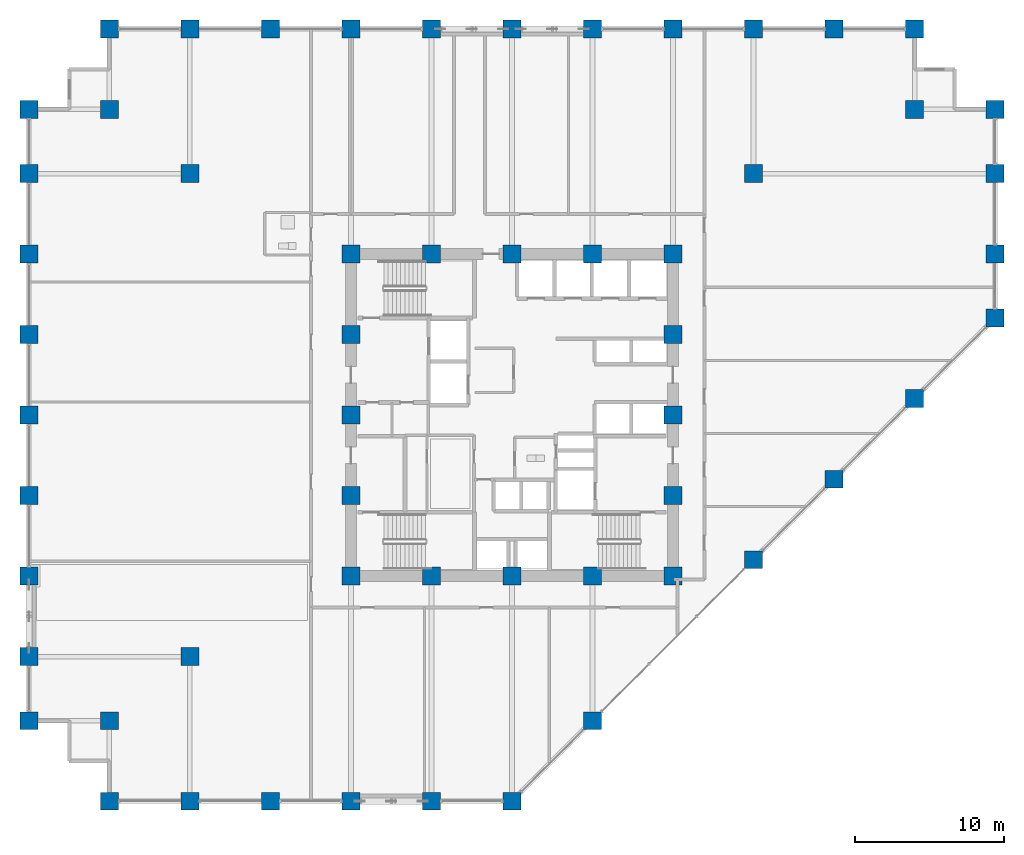
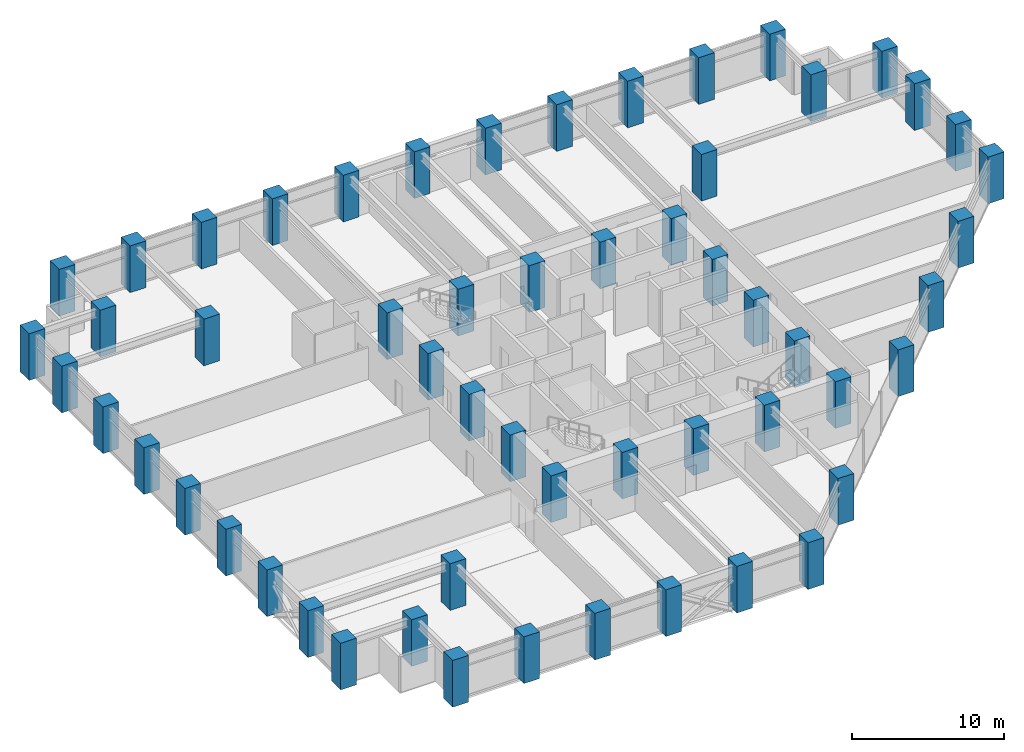
# One storey, part 1 of 26: 56 columns.
"""IFC4 building model written with IfcOpenShell, lengths in metres."""

import ifcopenshell
import ifcopenshell.guid

model = None  # the IFC model being written
_history = None  # IfcOwnerHistory: only IFC2X3 demands one
_inside = {}  # id of a spatial element -> (the spatial element, [elements in it])
_under = {}  # id of a project, library or spatial element -> (it, [spatial elements below it])
_declared = {}  # id of a project -> (the project, [libraries it declares])
_typed = {}  # id of a type object -> (the type object, [elements of that type])
_made_of = {}  # id of a material, layer set ... -> (it, [elements and type objects made of it])


def new_model(schema):
    """Start an empty IFC model of exactly this schema.

    Asked for "IFC4X3", IfcOpenShell would pick the latest addendum, in which some entities
    have other attributes; the version numbers below select the first issue.
    IFC2X3 requires an IfcOwnerHistory on every rooted entity: one is made here for all.
    """
    global model, _history
    if schema == "IFC4X3":
        model = ifcopenshell.file(schema_version=(4, 3, 0, 0))
    else:
        model = ifcopenshell.file(schema=schema)
    _inside.clear()
    _under.clear()
    _declared.clear()
    _typed.clear()
    _made_of.clear()
    _history = None
    if model.schema == "IFC2X3":
        org = make("IfcOrganization", Name="unknown")
        user = make(
            "IfcPersonAndOrganization",
            ThePerson=make("IfcPerson", FamilyName="unknown"),
            TheOrganization=org,
        )
        app = make(
            "IfcApplication",
            ApplicationDeveloper=org,
            Version="unknown",
            ApplicationFullName="unknown",
            ApplicationIdentifier="unknown",
        )
        _history = make(
            "IfcOwnerHistory",
            OwningUser=user,
            OwningApplication=app,
            ChangeAction="ADDED",
            CreationDate=0,
        )
    return model


def make(cls, **values):
    """One entity of the class cls with the attributes given. An attribute that is None is left unset."""
    return model.create_entity(
        cls, **{name: value for name, value in values.items() if value is not None}
    )


def rooted(cls, **values):
    """An entity with a GlobalId (a new one), such as an element, a storey or a relation."""
    return make(cls, GlobalId=ifcopenshell.guid.new(), OwnerHistory=_history, **values)


def si_unit(unit_type, name, prefix=None):
    """IfcSIUnit, for example si_unit("LENGTHUNIT", "METRE", prefix="MILLI")."""
    return make("IfcSIUnit", UnitType=unit_type, Prefix=prefix, Name=name)


def assignment(units):
    """IfcUnitAssignment: the units of a project."""
    return None if units is None else make("IfcUnitAssignment", Units=units)


def point(xyz):
    """IfcCartesianPoint."""
    return None if xyz is None else make("IfcCartesianPoint", Coordinates=xyz)


def direction(xyz):
    """IfcDirection."""
    return None if xyz is None else make("IfcDirection", DirectionRatios=xyz)


def frame(location, z_axis=None, x_axis=None):
    """IfcAxis2Placement3D, a coordinate frame: its origin and axes. An axis left out is left unset."""
    return make(
        "IfcAxis2Placement3D",
        Location=point(location),
        Axis=direction(z_axis),
        RefDirection=direction(x_axis),
    )


def frame_2d(location, x_axis=None):
    """IfcAxis2Placement2D, a coordinate frame in the plane: its origin and x axis."""
    return make(
        "IfcAxis2Placement2D", Location=point(location), RefDirection=direction(x_axis)
    )


def origin():
    """The frame at (0, 0, 0) with its axes left unset."""
    return frame((0.0, 0.0, 0.0))


def origin_2d():
    """The frame at (0, 0) in the plane with its x axis left unset."""
    return frame_2d((0.0, 0.0))


def place(relative_to, where):
    """IfcLocalPlacement: puts the frame where relative to a parent placement (None: the world)."""
    return make(
        "IfcLocalPlacement", PlacementRelTo=relative_to, RelativePlacement=where
    )


def context(
    kind, dimensions, precision=None, world=None, true_north=None, identifier=None
):
    """IfcGeometricRepresentationContext, for example the 3D "Model" context."""
    return make(
        "IfcGeometricRepresentationContext",
        ContextIdentifier=identifier,
        ContextType=kind,
        CoordinateSpaceDimension=dimensions,
        Precision=precision,
        WorldCoordinateSystem=world,
        TrueNorth=true_north,
    )


def subcontext(parent, identifier, kind, view, scale=None):
    """IfcGeometricRepresentationSubContext, for example "Body" below "Model"."""
    return make(
        "IfcGeometricRepresentationSubContext",
        ContextIdentifier=identifier,
        ContextType=kind,
        ParentContext=parent,
        TargetScale=scale,
        TargetView=view,
    )


def project(units=None, contexts=None):
    """IfcProject with its units and contexts."""
    return rooted(
        "IfcProject",
        Name="project",
        RepresentationContexts=contexts,
        UnitsInContext=assignment(units),
    )


def spatial(cls, under=None, at=None, **own):
    """A site, building, storey or space (cls), placed at a placement, below another one or the project."""
    s = rooted(cls, ObjectPlacement=at, **own)
    if under is not None:
        _under.setdefault(under.id(), (under, []))[1].append(s)
    return s


def profile(cls, at=None, kind="AREA", **sizes):
    """A parametric profile (cls). Its sizes go by their IFC names, for example OverallWidth=200.0."""
    return make(cls, ProfileType=kind, Position=at, **sizes)


def rectangle(**sizes):
    """IfcRectangleProfileDef."""
    return profile("IfcRectangleProfileDef", **sizes)


def extrude(swept, where, along, depth):
    """IfcExtrudedAreaSolid: the profile swept, set in the frame where, extruded along a direction by depth."""
    return make(
        "IfcExtrudedAreaSolid",
        SweptArea=swept,
        Position=where,
        ExtrudedDirection=direction(along),
        Depth=depth,
    )


def shape(context_of_items, identifier, shape_type, items):
    """IfcShapeRepresentation: the items that make up one representation, for example the "Body"."""
    return make(
        "IfcShapeRepresentation",
        ContextOfItems=context_of_items,
        RepresentationIdentifier=identifier,
        RepresentationType=shape_type,
        Items=items,
    )


def material(Name=None, Category=None):
    """IfcMaterial."""
    return make("IfcMaterial", Name=Name, Category=Category)


def material_profile(
    of_material, cross_section, Name=None, Category=None, Priority=None
):
    """IfcMaterialProfile: a cross section and its material."""
    return make(
        "IfcMaterialProfile",
        Name=Name,
        Material=of_material,
        Profile=cross_section,
        Priority=Priority,
        Category=Category,
    )


def profile_set(profiles, Name=None, composite=None):
    """IfcMaterialProfileSet."""
    return make(
        "IfcMaterialProfileSet",
        Name=Name,
        MaterialProfiles=profiles,
        CompositeProfile=composite,
    )


def made_of(thing, what):
    """Note that an element or type object is made of a material, layer set ...; save() writes the relation."""
    if what is not None:
        _made_of.setdefault(what.id(), (what, []))[1].append(thing)
    return thing


def type_object(cls, material=None, **own):
    """A type object (cls), such as IfcWallType, which elements share."""
    return made_of(rooted(cls, **own), material)


def element(
    cls,
    number,
    at=None,
    inside=None,
    cuts=None,
    type_object=None,
    material=None,
    context=None,
    identifier="Body",
    shape_type=None,
    held_by="IfcProductDefinitionShape",
    body=None,
    shapes=None,
    **own,
):
    """One element of the class cls, such as IfcWall. Its Tag is "e" and its number.

    at: its placement. inside: the storey or other place that contains it. cuts: it is an
    opening in that element (IfcRelVoidsElement). A single representation is given by context,
    identifier, shape_type and body (its items); several are given by shapes. held_by: the class
    of the entity that holds the representations. save() writes the other relations.
    """
    e = rooted(cls, Tag="e%d" % number, ObjectPlacement=at, **own)
    if body is not None:
        shapes = [shape(context, identifier, shape_type, body)]
    if shapes is not None:
        e.Representation = make(held_by, Representations=shapes)
    if inside is not None:
        _inside.setdefault(inside.id(), (inside, []))[1].append(e)
    if cuts is not None:
        rooted(
            "IfcRelVoidsElement", RelatingBuildingElement=cuts, RelatedOpeningElement=e
        )
    if type_object is not None:
        _typed.setdefault(type_object.id(), (type_object, []))[1].append(e)
    return made_of(e, material)


def aggregate(whole, parts):
    """IfcRelAggregates: a whole, such as a stair, and the parts it consists of."""
    return rooted("IfcRelAggregates", RelatingObject=whole, RelatedObjects=parts)


def save(model, path):
    """Write the relations noted so far, then the file.

    IfcRelAggregates (storeys below a building ...), IfcRelContainedInSpatialStructure (elements
    in a storey), IfcRelDefinesByType, IfcRelAssociatesMaterial and IfcRelDeclares: one each for
    every whole, place, type object, material and project.
    """
    for whole, parts in _under.values():
        aggregate(whole, parts)
    for where, things in _inside.values():
        rooted(
            "IfcRelContainedInSpatialStructure",
            RelatedElements=things,
            RelatingStructure=where,
        )
    for kind, things in _typed.values():
        rooted("IfcRelDefinesByType", RelatedObjects=things, RelatingType=kind)
    for what, things in _made_of.values():
        rooted("IfcRelAssociatesMaterial", RelatedObjects=things, RelatingMaterial=what)
    for by, libraries in _declared.values():
        rooted("IfcRelDeclares", RelatingContext=by, RelatedDefinitions=libraries)
    model.write(path)


model = new_model("IFC4")

# Units and contexts
model_context = context("Model", 3, precision=1e-05, world=origin(), true_north=direction((0.0, 1.0)))
body_context = subcontext(model_context, "Body", "Model", "MODEL_VIEW")
ifc_project = project(units=[si_unit("LENGTHUNIT", "METRE"), si_unit("AREAUNIT", "SQUARE_METRE"), si_unit("VOLUMEUNIT", "CUBIC_METRE"), si_unit("PLANEANGLEUNIT", "RADIAN"), si_unit("MASSUNIT", "GRAM", prefix="KILO")], contexts=[model_context])

# Site, building, storey
site_placement = place(None, origin())
site = spatial("IfcSite", under=ifc_project, at=site_placement, CompositionType="ELEMENT")
building_placement = place(site_placement, origin())
building = spatial("IfcBuilding", under=site, at=building_placement, Name="Surkhivell Harbour Commons", CompositionType="ELEMENT")
storey_placement = place(building_placement, frame((0.0, 0.0, 75.0)))
storey = spatial("IfcBuildingStorey", under=building, at=storey_placement, Name="L19", CompositionType="ELEMENT", Elevation=75.0)

# Columns
ifc_material = material(Name="Concrete C80/95", Category="concrete")
ifc_material_profile = material_profile(ifc_material, rectangle(XDim=1.199951171875, YDim=1.199951171875, at=origin_2d()), Name="RC-COL-1200x1200")
ifc_profile_set = profile_set([ifc_material_profile], Name="Concrete C80/95")
column_type = type_object("IfcColumnType", Name="COL-TUBE-Z1B", PredefinedType="COLUMN", material=ifc_profile_set)
for number, where, z_axis, x_axis, name in (
    (1, (-32.39990234375, -20.5, 0.0), (0.0, 0.0, 1.0), (1.0, 0.0, 0.0), "L19 Column CT-1B (-32.4,-20.5)"),
    (2, (-32.39990234375, -16.199951171875, 0.0), (0.0, 0.0, 1.0), (1.0, 0.0, 0.0), "L19 Column CT-1B (-32.4,-16.2)"),
    (3, (-32.39990234375, -10.800048828125, 0.0), (0.0, 0.0, 1.0), (1.0, 0.0, 0.0), "L19 Column CT-1B (-32.4,-10.8)"),
    (4, (-32.39990234375, -5.39990234375, 0.0), (0.0, 0.0, 1.0), (1.0, 0.0, 0.0), "L19 Column CT-1B (-32.4,-5.4)"),
    (5, (-32.39990234375, 0.0, 0.0), (0.0, 0.0, 1.0), (1.0, 0.0, 0.0), "L19 Column CT-1B (-32.4,0.0)"),
    (6, (-32.39990234375, 5.39990234375, 0.0), (0.0, 0.0, 1.0), (1.0, 0.0, 0.0), "L19 Column CT-1B (-32.4,5.4)"),
    (7, (-32.39990234375, 10.800048828125, 0.0), (0.0, 0.0, 1.0), (1.0, 0.0, 0.0), "L19 Column CT-1B (-32.4,10.8)"),
    (8, (-32.39990234375, 16.199951171875, 0.0), (0.0, 0.0, 1.0), (1.0, 0.0, 0.0), "L19 Column CT-1B (-32.4,16.2)"),
    (9, (-32.39990234375, 20.5, 0.0), (0.0, 0.0, 1.0), (1.0, 0.0, 0.0), "L19 Column CT-1B (-32.4,20.5)"),
    (10, (-27.0, -25.89990234375, 0.0), (0.0, 0.0, 1.0), (1.0, 0.0, 0.0), "L19 Column CT-1B (-27.0,-25.9)"),
    (11, (-27.0, -20.5, 0.0), (0.0, 0.0, 1.0), (1.0, 0.0, 0.0), "L19 Column CT-1B (-27.0,-20.5)"),
    (12, (-27.0, 20.5, 0.0), (0.0, 0.0, 1.0), (1.0, 0.0, 0.0), "L19 Column CT-1B (-27.0,20.5)"),
    (13, (-27.0, 25.89990234375, 0.0), (0.0, 0.0, 1.0), (1.0, 0.0, 0.0), "L19 Column CT-1B (-27.0,25.9)"),
    (14, (-21.60009765625, -25.89990234375, 0.0), (0.0, 0.0, 1.0), (1.0, 0.0, 0.0), "L19 Column CT-1B (-21.6,-25.9)"),
    (15, (-21.60009765625, -16.199951171875, 0.0), (0.0, 0.0, 1.0), (1.0, 0.0, 0.0), "L19 Column CT-1B (-21.6,-16.2)"),
    (16, (-21.60009765625, 16.199951171875, 0.0), (0.0, 0.0, 1.0), (1.0, 0.0, 0.0), "L19 Column CT-1B (-21.6,16.2)"),
    (17, (-21.60009765625, 25.89990234375, 0.0), (0.0, 0.0, 1.0), (1.0, 0.0, 0.0), "L19 Column CT-1B (-21.6,25.9)"),
    (18, (-16.199951171875, -25.89990234375, 0.0), (0.0, 0.0, 1.0), (1.0, 0.0, 0.0), "L19 Column CT-1B (-16.2,-25.9)"),
    (19, (-16.199951171875, 25.89990234375, 0.0), (0.0, 0.0, 1.0), (1.0, 0.0, 0.0), "L19 Column CT-1B (-16.2,25.9)"),
    (20, (-10.800048828125, -25.89990234375, 0.0), (0.0, 0.0, 1.0), (1.0, 0.0, 0.0), "L19 Column CT-1B (-10.8,-25.9)"),
    (21, (-10.800048828125, -10.800048828125, 0.0), (0.0, 0.0, 1.0), (1.0, 0.0, 0.0), "L19 Column CT-1B (-10.8,-10.8)"),
    (22, (-10.800048828125, -5.39990234375, 0.0), (0.0, 0.0, 1.0), (1.0, 0.0, 0.0), "L19 Column CT-1B (-10.8,-5.4)"),
    (23, (-10.800048828125, 0.0, 0.0), (0.0, 0.0, 1.0), (1.0, 0.0, 0.0), "L19 Column CT-1B (-10.8,0.0)"),
    (24, (-10.800048828125, 5.39990234375, 0.0), (0.0, 0.0, 1.0), (1.0, 0.0, 0.0), "L19 Column CT-1B (-10.8,5.4)"),
    (25, (-10.800048828125, 10.800048828125, 0.0), (0.0, 0.0, 1.0), (1.0, 0.0, 0.0), "L19 Column CT-1B (-10.8,10.8)"),
    (26, (-10.800048828125, 25.89990234375, 0.0), (0.0, 0.0, 1.0), (1.0, 0.0, 0.0), "L19 Column CT-1B (-10.8,25.9)"),
    (27, (-5.39990234375, -25.89990234375, 0.0), (0.0, 0.0, 1.0), (1.0, 0.0, 0.0), "L19 Column CT-1B (-5.4,-25.9)"),
    (28, (-5.39990234375, -10.800048828125, 0.0), (0.0, 0.0, 1.0), (1.0, 0.0, 0.0), "L19 Column CT-1B (-5.4,-10.8)"),
    (29, (-5.39990234375, 10.800048828125, 0.0), (0.0, 0.0, 1.0), (1.0, 0.0, 0.0), "L19 Column CT-1B (-5.4,10.8)"),
    (30, (-5.39990234375, 25.89990234375, 0.0), (0.0, 0.0, 1.0), (1.0, 0.0, 0.0), "L19 Column CT-1B (-5.4,25.9)"),
    (31, (0.0, -25.89990234375, 0.0), (0.0, 0.0, 1.0), (1.0, 0.0, 0.0), "L19 Column CT-1B (-0.0,-25.9)"),
    (32, (0.0, -10.800048828125, 0.0), (0.0, 0.0, 1.0), (1.0, 0.0, 0.0), "L19 Column CT-1B (0.0,-10.8)"),
    (33, (0.0, 10.800048828125, 0.0), (0.0, 0.0, 1.0), (1.0, 0.0, 0.0), "L19 Column CT-1B (0.0,10.8)"),
    (34, (0.0, 25.89990234375, 0.0), (0.0, 0.0, 1.0), (1.0, 0.0, 0.0), "L19 Column CT-1B (-0.0,25.9)"),
    (35, (5.39990234375, -20.5, 0.0), (0.0, 0.0, 1.0), (1.0, 0.0, 0.0), "L19 Column CT-1B (5.4,-20.5)"),
    (36, (5.39990234375, -10.800048828125, 0.0), (0.0, 0.0, 1.0), (1.0, 0.0, 0.0), "L19 Column CT-1B (5.4,-10.8)"),
    (37, (5.39990234375, 10.800048828125, 0.0), (0.0, 0.0, 1.0), (1.0, 0.0, 0.0), "L19 Column CT-1B (5.4,10.8)"),
    (38, (5.39990234375, 25.89990234375, 0.0), (0.0, 0.0, 1.0), (1.0, 0.0, 0.0), "L19 Column CT-1B (5.4,25.9)"),
    (39, (10.800048828125, -10.800048828125, 0.0), (0.0, 0.0, 1.0), (1.0, 0.0, 0.0), "L19 Column CT-1B (10.8,-10.8)"),
    (40, (10.800048828125, -5.39990234375, 0.0), (0.0, 0.0, 1.0), (1.0, 0.0, 0.0), "L19 Column CT-1B (10.8,-5.4)"),
    (41, (10.800048828125, 0.0, 0.0), (0.0, 0.0, 1.0), (1.0, 0.0, 0.0), "L19 Column CT-1B (10.8,0.0)"),
    (42, (10.800048828125, 5.39990234375, 0.0), (0.0, 0.0, 1.0), (1.0, 0.0, 0.0), "L19 Column CT-1B (10.8,5.4)"),
    (43, (10.800048828125, 10.800048828125, 0.0), (0.0, 0.0, 1.0), (1.0, 0.0, 0.0), "L19 Column CT-1B (10.8,10.8)"),
    (44, (10.800048828125, 25.89990234375, 0.0), (0.0, 0.0, 1.0), (1.0, 0.0, 0.0), "L19 Column CT-1B (10.8,25.9)"),
    (45, (16.199951171875, -9.699951171875, 0.0), (0.0, 0.0, 1.0), (1.0, 0.0, 0.0), "L19 Column CT-1B (16.2,-9.7)"),
    (46, (16.199951171875, 16.199951171875, 0.0), (0.0, 0.0, 1.0), (1.0, 0.0, 0.0), "L19 Column CT-1B (16.2,16.2)"),
    (47, (16.199951171875, 25.89990234375, 0.0), (0.0, 0.0, 1.0), (1.0, 0.0, 0.0), "L19 Column CT-1B (16.2,25.9)"),
    (48, (21.60009765625, -4.300048828125, 0.0), (0.0, 0.0, 1.0), (1.0, 0.0, 0.0), "L19 Column CT-1B (21.6,-4.3)"),
    (49, (21.60009765625, 25.89990234375, 0.0), (0.0, 0.0, 1.0), (1.0, 0.0, 0.0), "L19 Column CT-1B (21.6,25.9)"),
    (50, (27.0, 1.10009765625, 0.0), (0.0, 0.0, 1.0), (1.0, 0.0, 0.0), "L19 Column CT-1B (27.0,1.1)"),
    (51, (27.0, 20.5, 0.0), (0.0, 0.0, 1.0), (1.0, 0.0, 0.0), "L19 Column CT-1B (27.0,20.5)"),
    (52, (27.0, 25.89990234375, 0.0), (0.0, 0.0, 1.0), (1.0, 0.0, 0.0), "L19 Column CT-1B (27.0,25.9)"),
    (53, (32.39990234375, 6.5, 0.0), (0.0, 0.0, 1.0), (1.0, 0.0, 0.0), "L19 Column CT-1B (32.4,6.5)"),
    (54, (32.39990234375, 10.800048828125, 0.0), (0.0, 0.0, 1.0), (1.0, 0.0, 0.0), "L19 Column CT-1B (32.4,10.8)"),
    (55, (32.39990234375, 16.199951171875, 0.0), (0.0, 0.0, 1.0), (1.0, 0.0, 0.0), "L19 Column CT-1B (32.4,16.2)"),
    (56, (32.39990234375, 20.5, 0.0), (0.0, 0.0, 1.0), (1.0, 0.0, 0.0), "L19 Column CT-1B (32.4,20.5)"),
):
    element("IfcColumn", number, at=place(storey_placement, frame(where, z_axis=z_axis, x_axis=x_axis)), inside=storey, type_object=column_type, Name=name, PredefinedType="COLUMN", context=body_context, shape_type="SweptSolid", body=[
        extrude(rectangle(XDim=1.199951171875, YDim=1.199951171875, at=origin_2d()), origin(), (0.0, 0.0, 1.0), 3.75),
    ])

save(model, "model.ifc")
